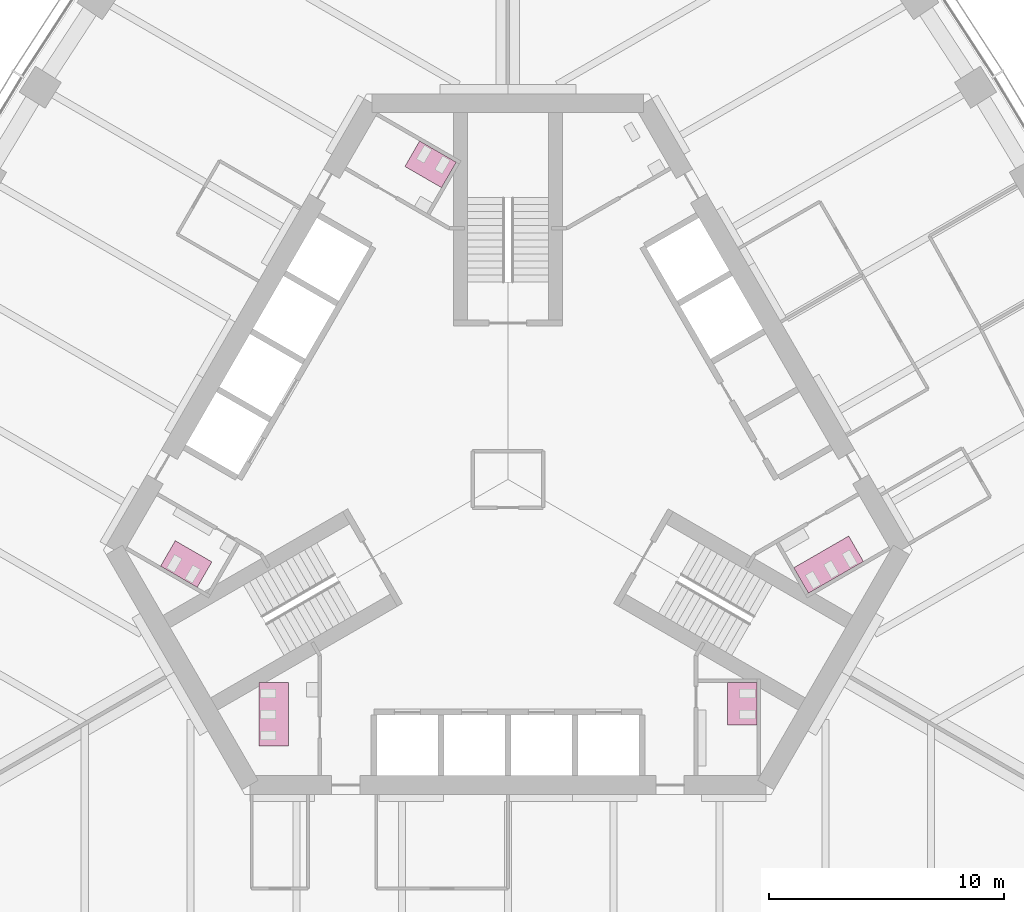
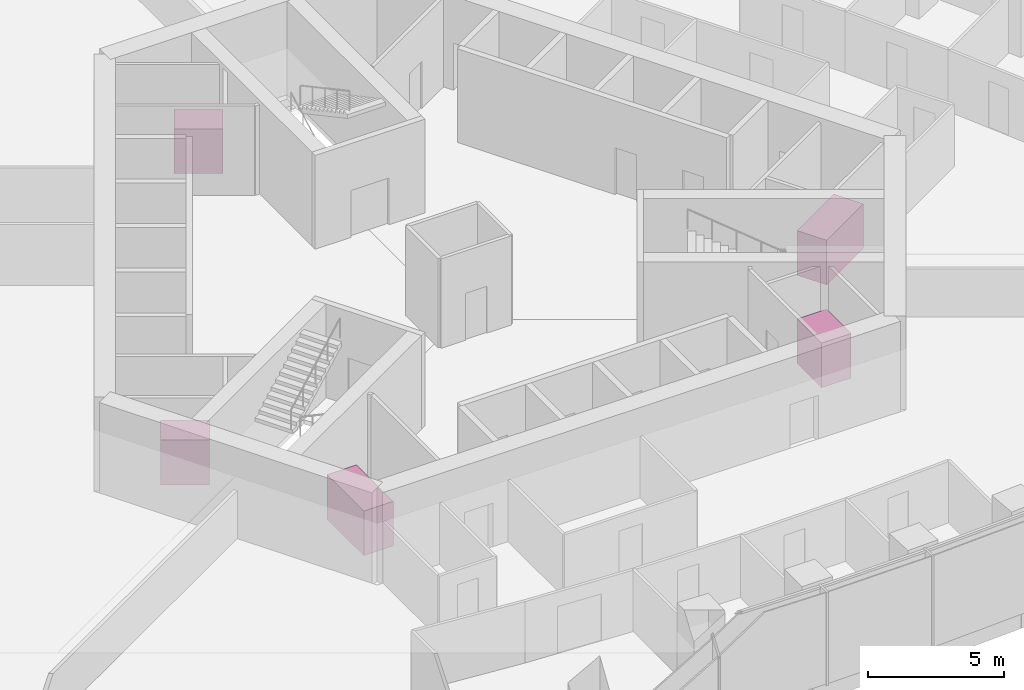
# One storey, part 19 of 19: 5 furniture elements.
"""IFC4 building model written with IfcOpenShell, lengths in metres."""

from ifc_helpers import new_model, si_unit, direction, frame, origin, place, context, subcontext, project, spatial, polyline, outline, extrude, material, type_object, element, save


model = new_model("IFC4")

# Units and contexts
model_context = context("Model", 3, precision=1e-05, world=origin(), true_north=direction((0.0, 1.0)))
body_context = subcontext(model_context, "Body", "Model", "MODEL_VIEW")
ifc_project = project(units=[si_unit("LENGTHUNIT", "METRE"), si_unit("AREAUNIT", "SQUARE_METRE"), si_unit("VOLUMEUNIT", "CUBIC_METRE"), si_unit("PLANEANGLEUNIT", "RADIAN"), si_unit("MASSUNIT", "GRAM", prefix="KILO")], contexts=[model_context])

# Site, building, storey
site_placement = place(None, origin())
site = spatial("IfcSite", under=ifc_project, at=site_placement, CompositionType="ELEMENT")
building_placement = place(site_placement, origin())
building = spatial("IfcBuilding", under=site, at=building_placement, Name="Trefoil Bronze Tower", CompositionType="ELEMENT")
storey_placement = place(building_placement, frame((0.0, 0.0, 124.10009765625)))
storey = spatial("IfcBuildingStorey", under=building, at=storey_placement, Name="L28", CompositionType="ELEMENT", Elevation=124.10009765625)

# Furniture
ifc_material_1 = material(Name="Compact laminate cubicles", Category="plastic")
furniture_type_1 = type_object("IfcFurnitureType", Name="WC cubicle range 2 cubicles", AssemblyPlace="FACTORY", PredefinedType="USERDEFINED", material=ifc_material_1)
furniture_1_placement = place(storey_placement, origin())
element("IfcFurniture", 1, at=furniture_1_placement, inside=storey, type_object=furniture_type_1, Name="WC cubicle range WC (men) L28", ObjectType="WC cubicle range", PredefinedType="USERDEFINED", context=body_context, shape_type="SweptSolid", body=[
    extrude(outline(polyline([(9.3349609375, -8.64990234375), (10.5849609375, -8.64990234375), (10.5849609375, -10.449951171875), (9.3349609375, -10.449951171875), (9.3349609375, -8.64990234375)])), origin(), (0.0, 0.0, 1.0), 2.0),
])
furniture_2_placement = place(storey_placement, origin())
element("IfcFurniture", 2, at=furniture_2_placement, inside=storey, type_object=furniture_type_1, Name="WC cubicle range WC (women) L28", ObjectType="WC cubicle range", PredefinedType="USERDEFINED", context=body_context, shape_type="SweptSolid", body=[
    extrude(outline(polyline([(-2.82373046875, 12.409423828125), (-2.19873046875, 13.491943359375), (-3.757568359375, 14.391845703125), (-4.382568359375, 13.309326171875), (-2.82373046875, 12.409423828125)])), origin(), (0.0, 0.0, 1.0), 2.0),
])
furniture_3_placement = place(storey_placement, origin())
element("IfcFurniture", 3, at=furniture_3_placement, inside=storey, type_object=furniture_type_1, Name="WC cubicle range WC (men) L28", ObjectType="WC cubicle range", PredefinedType="USERDEFINED", context=body_context, shape_type="SweptSolid", body=[
    extrude(outline(polyline([(-12.591552734375, -3.50927734375), (-13.216552734375, -4.591796875), (-14.775390625, -3.69189453125), (-14.150390625, -2.609375), (-12.591552734375, -3.50927734375)])), origin(), (0.0, 0.0, 1.0), 2.0),
])
ifc_material_2 = material(Name="Compact laminate cubicles", Category="plastic")
furniture_type_2 = type_object("IfcFurnitureType", Name="WC cubicle range 3 cubicles", AssemblyPlace="FACTORY", PredefinedType="USERDEFINED", material=ifc_material_2)
furniture_4_placement = place(storey_placement, origin())
element("IfcFurniture", 4, at=furniture_4_placement, inside=storey, type_object=furniture_type_2, Name="WC cubicle range WC (women) L28", ObjectType="WC cubicle range", PredefinedType="USERDEFINED", context=body_context, shape_type="SweptSolid", body=[
    extrude(outline(polyline([(12.15869140625, -3.75927734375), (12.78369140625, -4.841796875), (15.121826171875, -3.491943359375), (14.496826171875, -2.409423828125), (12.15869140625, -3.75927734375)])), origin(), (0.0, 0.0, 1.0), 2.0),
])
furniture_5_placement = place(storey_placement, origin())
element("IfcFurniture", 5, at=furniture_5_placement, inside=storey, type_object=furniture_type_2, Name="WC cubicle range WC (women) L28", ObjectType="WC cubicle range", PredefinedType="USERDEFINED", context=body_context, shape_type="SweptSolid", body=[
    extrude(outline(polyline([(-9.3349609375, -8.64990234375), (-10.5849609375, -8.64990234375), (-10.5849609375, -11.35009765625), (-9.3349609375, -11.35009765625), (-9.3349609375, -8.64990234375)])), origin(), (0.0, 0.0, 1.0), 2.0),
])

save(model, "model.ifc")
